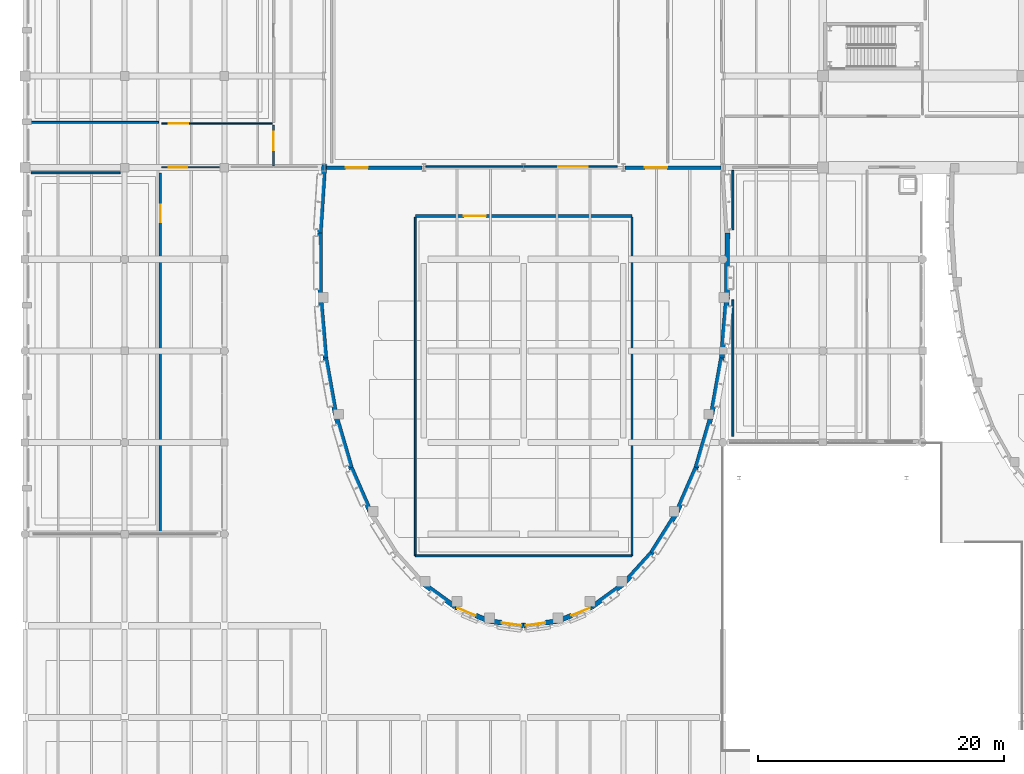
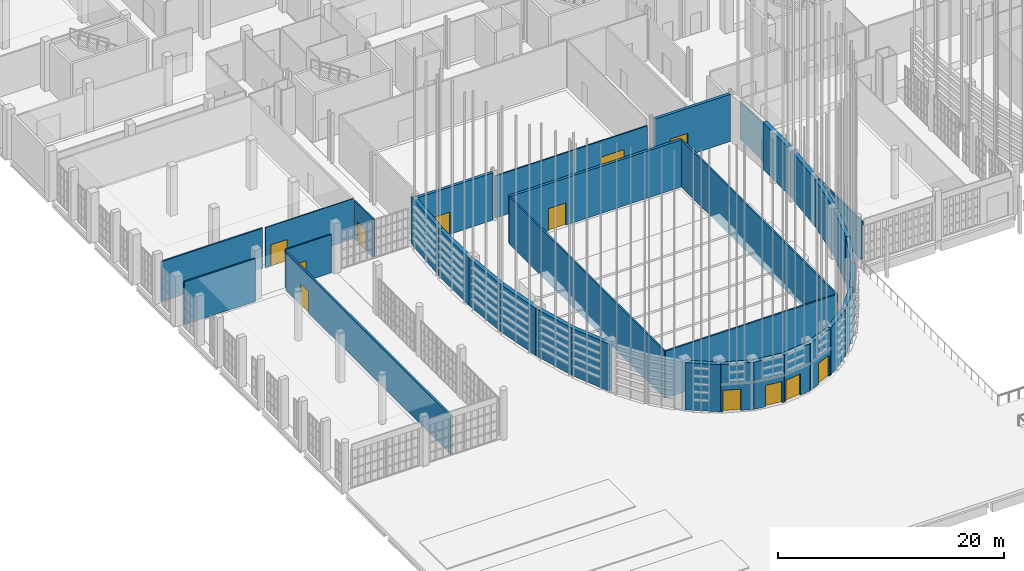
# One storey, part 348 of 372: 34 walls, 12 doors, 12 openings.
"""IFC4 building model written with IfcOpenShell, lengths in metres."""

from ifc_helpers import new_model, si_unit, direction, frame, frame_2d, origin, place, context, subcontext, project, spatial, rectangle, extrude, material, layer, layer_set, type_object, element, fill, save


model = new_model("IFC4")

# Units and contexts
model_context = context("Model", 3, precision=1e-05, world=origin(), true_north=direction((0.0, 1.0)))
body_context = subcontext(model_context, "Body", "Model", "MODEL_VIEW")
ifc_project = project(units=[si_unit("LENGTHUNIT", "METRE"), si_unit("AREAUNIT", "SQUARE_METRE"), si_unit("VOLUMEUNIT", "CUBIC_METRE"), si_unit("PLANEANGLEUNIT", "RADIAN"), si_unit("MASSUNIT", "GRAM", prefix="KILO")], contexts=[model_context])

# Site, building, storey
site_placement = place(None, origin())
site = spatial("IfcSite", under=ifc_project, at=site_placement, CompositionType="ELEMENT")
building_placement = place(site_placement, origin())
building = spatial("IfcBuilding", under=site, at=building_placement, Name="Kaelora Sail Theatre", CompositionType="ELEMENT")
storey_placement = place(building_placement, origin())
storey = spatial("IfcBuildingStorey", under=building, at=storey_placement, Name="L00", CompositionType="ELEMENT", Elevation=0.0)

# Wall, opening, door
ifc_material_1 = material(Name="Concrete C45/55", Category="concrete")
ifc_layer_1 = layer(ifc_material_1, 0.300048828125)
ifc_layer_set_1 = layer_set([ifc_layer_1], Name="Concrete C45/55")
wall_type_1 = type_object("IfcWallType", Name="ARC-WL-CW-300", PredefinedType="SHEAR", material=ifc_layer_set_1)
wall_1_placement = place(storey_placement, frame((25.951904296875, 61.02001953125, 0.0), z_axis=(0.0, 0.0, 1.0), x_axis=(1.0, 0.0, 0.0)))
wall_1 = element("IfcWall", 1, at=wall_1_placement, inside=storey, type_object=wall_type_1, Name="Proscenium fire wall L00-W", PredefinedType="SHEAR", context=body_context, shape_type="SweptSolid", body=[
    extrude(rectangle(XDim=7.796142578125, YDim=0.300048828125, at=frame_2d((3.89794921875, 0.0))), origin(), (0.0, 0.0, 1.0), 5.10498046875),
])
opening_1_placement = place(wall_1_placement, frame((1.60009765625, 0.0, 0.0)))
opening_1 = element("IfcOpeningElement", 2, at=opening_1_placement, cuts=wall_1, Name="Opening FD-03", PredefinedType="OPENING", context=body_context, shape_type="SweptSolid", body=[
    extrude(rectangle(XDim=1.800048828125, YDim=2.39990234375, at=frame_2d((0.89990234375, 1.199951171875))), frame((0.0, 0.159902, 0.0), z_axis=(0.0, -1.0, 0.0), x_axis=(1.0, 0.0, 0.0)), (0.0, 0.0, 1.0), 0.320049),
])
ifc_material_2 = material(Name="Auditorium acoustic double sound-lock fire door FD60S", Category="steel")
door_type_1 = type_object("IfcDoorType", Name="ARC-DR-FD-03", OperationType="NOTDEFINED", PredefinedType="DOOR", material=ifc_material_2)
door_1_placement = place(opening_1_placement, origin())
door_1 = element("IfcDoor", 3, at=door_1_placement, inside=storey, type_object=door_type_1, Name="Stage-to-Auditorium Fire Door L00", OperationType="DOUBLE_DOOR_SINGLE_SWING", OverallHeight=2.39990234375, OverallWidth=1.800048828125, PredefinedType="DOOR", context=body_context, shape_type="SweptSolid", body=[
    extrude(rectangle(XDim=1.800048828125, YDim=2.39990234375, at=frame_2d((0.89990234375, 1.199951171875))), frame((0.0, 0.02490234375, 0.0), z_axis=(0.0, -1.0, 0.0), x_axis=(1.0, 0.0, 0.0)), (0.0, 0.0, 1.0), 0.050048828125),
])
fill(opening_1, door_1)

wall_2_placement = place(storey_placement, frame((50.251953125, 61.02001953125, 0.0), z_axis=(0.0, 0.0, 1.0), x_axis=(1.0, 0.0, 0.0)))
wall_2 = element("IfcWall", 4, at=wall_2_placement, inside=storey, type_object=wall_type_1, Name="Proscenium fire wall L00-E", PredefinedType="SHEAR", context=body_context, shape_type="SweptSolid", body=[
    extrude(rectangle(XDim=7.796142578125, YDim=0.300048828125, at=frame_2d((3.89794921875, 0.0))), origin(), (0.0, 0.0, 1.0), 5.10498046875),
])
opening_2_placement = place(wall_2_placement, frame((1.60009765625, 0.0, 0.0)))
opening_2 = element("IfcOpeningElement", 5, at=opening_2_placement, cuts=wall_2, Name="Opening FD-03", PredefinedType="OPENING", context=body_context, shape_type="SweptSolid", body=[
    extrude(rectangle(XDim=1.800048828125, YDim=2.39990234375, at=frame_2d((0.89990234375, 1.199951171875))), frame((0.0, 0.159902, 0.0), z_axis=(0.0, -1.0, 0.0), x_axis=(1.0, 0.0, 0.0)), (0.0, 0.0, 1.0), 0.320049),
])
door_2_placement = place(opening_2_placement, origin())
door_2 = element("IfcDoor", 6, at=door_2_placement, inside=storey, type_object=door_type_1, Name="Stage-to-Auditorium Fire Door L00", OperationType="DOUBLE_DOOR_SINGLE_SWING", OverallHeight=2.39990234375, OverallWidth=1.800048828125, PredefinedType="DOOR", context=body_context, shape_type="SweptSolid", body=[
    extrude(rectangle(XDim=1.800048828125, YDim=2.39990234375, at=frame_2d((0.89990234375, 1.199951171875))), frame((0.0, 0.02490234375, 0.0), z_axis=(0.0, -1.0, 0.0), x_axis=(1.0, 0.0, 0.0)), (0.0, 0.0, 1.0), 0.050048828125),
])
fill(opening_2, door_2)

# Walls
ifc_material_3 = material(Name="Concrete C50/60", Category="concrete")
ifc_layer_2 = layer(ifc_material_3, 0.39990234375)
ifc_layer_set_2 = layer_set([ifc_layer_2], Name="Concrete C50/60")
wall_type_2 = type_object("IfcWallType", Name="ARC-WL-DW-400", PredefinedType="SHEAR", material=ifc_layer_set_2)
wall_3_placement = place(storey_placement, frame((58.542236328125, 55.725830078125, 0.0), z_axis=(0.0, 0.0, 1.0), x_axis=(-0.004895671688, -0.999988016128, 0.0)))
element("IfcWall", 7, at=wall_3_placement, inside=storey, type_object=wall_type_2, Name="Main Theatre Sail Drum curved drum acoustic wall L00 chord 2", PredefinedType="SHEAR", context=body_context, shape_type="SweptSolid", body=[
    extrude(rectangle(XDim=5.186279296875, YDim=0.39990234375, at=frame_2d((2.59326171875, 0.0))), origin(), (0.0, 0.0, 1.0), 5.10498046875),
])
wall_4_placement = place(storey_placement, frame((58.516845703125, 50.53955078125, 0.0), z_axis=(0.0, 0.0, 1.0), x_axis=(-0.084239735825, -0.996445516277, 0.0)))
element("IfcWall", 8, at=wall_4_placement, inside=storey, type_object=wall_type_2, Name="Main Theatre Sail Drum curved drum acoustic wall L00 chord 3", PredefinedType="SHEAR", context=body_context, shape_type="SweptSolid", body=[
    extrude(rectangle(XDim=4.99072265625, YDim=0.39990234375, at=frame_2d((2.495361328125, 0.0))), origin(), (0.0, 0.0, 1.0), 5.10498046875),
])
wall_5_placement = place(storey_placement, frame((58.096435546875, 45.566650390625, 0.0), z_axis=(0.0, 0.0, 1.0), x_axis=(-0.17557456422, -0.98446613573, 0.0)))
element("IfcWall", 9, at=wall_5_placement, inside=storey, type_object=wall_type_2, Name="Main Theatre Sail Drum curved drum acoustic wall L00 chord 4", PredefinedType="SHEAR", context=body_context, shape_type="SweptSolid", body=[
    extrude(rectangle(XDim=4.73193359375, YDim=0.39990234375, at=frame_2d((2.365966796875, 0.0))), origin(), (0.0, 0.0, 1.0), 5.10498046875),
])
wall_6_placement = place(storey_placement, frame((57.265625, 40.908203125, 0.0), z_axis=(0.0, 0.0, 1.0), x_axis=(-0.280296498643, -0.959913471542, 0.0)))
element("IfcWall", 10, at=wall_6_placement, inside=storey, type_object=wall_type_2, Name="Main Theatre Sail Drum curved drum acoustic wall L00 chord 5", PredefinedType="SHEAR", context=body_context, shape_type="SweptSolid", body=[
    extrude(rectangle(XDim=4.426513671875, YDim=0.39990234375, at=frame_2d((2.21337890625, 0.0))), origin(), (0.0, 0.0, 1.0), 5.10498046875),
])
wall_7_placement = place(storey_placement, frame((56.02490234375, 36.6591796875, 0.0), z_axis=(0.0, 0.0, 1.0), x_axis=(-0.39928213013, -0.916828108513, 0.0)))
element("IfcWall", 11, at=wall_7_placement, inside=storey, type_object=wall_type_2, Name="Main Theatre Sail Drum curved drum acoustic wall L00 chord 6", PredefinedType="SHEAR", context=body_context, shape_type="SweptSolid", body=[
    extrude(rectangle(XDim=4.09375, YDim=0.39990234375, at=frame_2d((2.046875, 0.0))), origin(), (0.0, 0.0, 1.0), 5.10498046875),
])
wall_8_placement = place(storey_placement, frame((54.390380859375, 32.906005859375, 0.0), z_axis=(0.0, 0.0, 1.0), x_axis=(-0.531284290946, -0.847193603726, 0.0)))
element("IfcWall", 12, at=wall_8_placement, inside=storey, type_object=wall_type_2, Name="Main Theatre Sail Drum curved drum acoustic wall L00 chord 7", PredefinedType="SHEAR", context=body_context, shape_type="SweptSolid", body=[
    extrude(rectangle(XDim=3.75439453125, YDim=0.39990234375, at=frame_2d((1.877197265625, 0.0))), origin(), (0.0, 0.0, 1.0), 5.10498046875),
])
wall_9_placement = place(storey_placement, frame((52.395751953125, 29.725341796875, 0.0), z_axis=(0.0, 0.0, 1.0), x_axis=(-0.671588971211, -0.740923919001, 0.0)))
element("IfcWall", 13, at=wall_9_placement, inside=storey, type_object=wall_type_2, Name="Main Theatre Sail Drum curved drum acoustic wall L00 chord 8", PredefinedType="SHEAR", context=body_context, shape_type="SweptSolid", body=[
    extrude(rectangle(XDim=3.43310546875, YDim=0.39990234375, at=frame_2d((1.716552734375, 0.0))), origin(), (0.0, 0.0, 1.0), 5.10498046875),
])
wall_10_placement = place(storey_placement, frame((50.090087890625, 27.181640625, 0.0), z_axis=(0.0, 0.0, 1.0), x_axis=(-0.809033741653, -0.587762200951, 0.0)))
element("IfcWall", 14, at=wall_10_placement, inside=storey, type_object=wall_type_2, Name="Main Theatre Sail Drum curved drum acoustic wall L00 chord 9", PredefinedType="SHEAR", context=body_context, shape_type="SweptSolid", body=[
    extrude(rectangle(XDim=3.155517578125, YDim=0.39990234375, at=frame_2d((1.57763671875, 0.0))), origin(), (0.0, 0.0, 1.0), 5.10498046875),
])

# Wall, opening, door
wall_11_placement = place(storey_placement, frame((47.537109375, 25.326904296875, 0.0), z_axis=(0.0, 0.0, 1.0), x_axis=(-0.923897776758, -0.382639383887, 0.0)))
wall_11 = element("IfcWall", 15, at=wall_11_placement, inside=storey, type_object=wall_type_2, Name="Main Theatre Sail Drum curved drum acoustic wall L00 chord 10", PredefinedType="SHEAR", context=body_context, shape_type="SweptSolid", body=[
    extrude(rectangle(XDim=2.948974609375, YDim=0.39990234375, at=frame_2d((1.474609375, 0.0))), origin(), (0.0, 0.0, 1.0), 5.10498046875),
])
opening_3_placement = place(wall_11_placement, frame((0.179931640625, 0.0, 0.0)))
opening_3 = element("IfcOpeningElement", 16, at=opening_3_placement, cuts=wall_11, Name="Opening ED-05", PredefinedType="OPENING", context=body_context, shape_type="SweptSolid", body=[
    extrude(rectangle(XDim=1.60009765625, YDim=2.300048828125, at=frame_2d((0.800048828125, 1.14990234375))), frame((0.0, 0.209951, 0.0), z_axis=(0.0, -1.0, 0.0), x_axis=(1.0, 0.0, 0.0)), (0.0, 0.0, 1.0), 0.419902),
])
ifc_material_4 = material(Name="Terrace glazed double swing door", Category="aluminium")
door_type_2 = type_object("IfcDoorType", Name="ARC-DR-ED-05", OperationType="NOTDEFINED", PredefinedType="DOOR", material=ifc_material_4)
door_3_placement = place(opening_3_placement, origin())
door_3 = element("IfcDoor", 17, at=door_3_placement, inside=storey, type_object=door_type_2, Name="Main Theatre Sail Drum plaza final exit door C10", OperationType="DOUBLE_DOOR_SINGLE_SWING", OverallHeight=2.300048828125, OverallWidth=1.60009765625, PredefinedType="DOOR", context=body_context, shape_type="SweptSolid", body=[
    extrude(rectangle(XDim=1.60009765625, YDim=2.300048828125, at=frame_2d((0.800048828125, 1.14990234375))), frame((0.0, 0.02490234375, 0.0), z_axis=(0.0, -1.0, 0.0), x_axis=(1.0, 0.0, 0.0)), (0.0, 0.0, 1.0), 0.050048828125),
])
fill(opening_3, door_3)

wall_12_placement = place(storey_placement, frame((44.8125, 24.198486328125, 0.0), z_axis=(0.0, 0.0, 1.0), x_axis=(-0.991069409398, -0.133347012549, 0.0)))
wall_12 = element("IfcWall", 18, at=wall_12_placement, inside=storey, type_object=wall_type_2, Name="Main Theatre Sail Drum curved drum acoustic wall L00 chord 11", PredefinedType="SHEAR", context=body_context, shape_type="SweptSolid", body=[
    extrude(rectangle(XDim=2.837890625, YDim=0.39990234375, at=frame_2d((1.4189453125, 0.0))), origin(), (0.0, 0.0, 1.0), 5.10498046875),
])
opening_4_placement = place(wall_12_placement, frame((1.05810546875, 0.0, 0.0)))
opening_4 = element("IfcOpeningElement", 19, at=opening_4_placement, cuts=wall_12, Name="Opening ED-05", PredefinedType="OPENING", context=body_context, shape_type="SweptSolid", body=[
    extrude(rectangle(XDim=1.60009765625, YDim=2.300048828125, at=frame_2d((0.800048828125, 1.14990234375))), frame((0.0, 0.209951, 0.0), z_axis=(0.0, -1.0, 0.0), x_axis=(1.0, 0.0, 0.0)), (0.0, 0.0, 1.0), 0.419902),
])
door_4_placement = place(opening_4_placement, origin())
door_4 = element("IfcDoor", 20, at=door_4_placement, inside=storey, type_object=door_type_2, Name="Main Theatre Sail Drum plaza final exit door C11", OperationType="DOUBLE_DOOR_SINGLE_SWING", OverallHeight=2.300048828125, OverallWidth=1.60009765625, PredefinedType="DOOR", context=body_context, shape_type="SweptSolid", body=[
    extrude(rectangle(XDim=1.60009765625, YDim=2.300048828125, at=frame_2d((0.800048828125, 1.14990234375))), frame((0.0, 0.02490234375, 0.0), z_axis=(0.0, -1.0, 0.0), x_axis=(1.0, 0.0, 0.0)), (0.0, 0.0, 1.0), 0.050048828125),
])
fill(opening_4, door_4)

wall_13_placement = place(storey_placement, frame((42.0, 23.820068359375, 0.0), z_axis=(0.0, 0.0, 1.0), x_axis=(-0.991069409398, 0.133347012549, 0.0)))
wall_13 = element("IfcWall", 21, at=wall_13_placement, inside=storey, type_object=wall_type_2, Name="Main Theatre Sail Drum curved drum acoustic wall L00 chord 12", PredefinedType="SHEAR", context=body_context, shape_type="SweptSolid", body=[
    extrude(rectangle(XDim=2.837890625, YDim=0.39990234375, at=frame_2d((1.4189453125, 0.0))), origin(), (0.0, 0.0, 1.0), 5.10498046875),
])
opening_5_placement = place(wall_13_placement, frame((0.179931640625, 0.0, 0.0)))
opening_5 = element("IfcOpeningElement", 22, at=opening_5_placement, cuts=wall_13, Name="Opening ED-05", PredefinedType="OPENING", context=body_context, shape_type="SweptSolid", body=[
    extrude(rectangle(XDim=1.60009765625, YDim=2.300048828125, at=frame_2d((0.800048828125, 1.14990234375))), frame((0.0, 0.209951, 0.0), z_axis=(0.0, -1.0, 0.0), x_axis=(1.0, 0.0, 0.0)), (0.0, 0.0, 1.0), 0.419902),
])
door_5_placement = place(opening_5_placement, origin())
door_5 = element("IfcDoor", 23, at=door_5_placement, inside=storey, type_object=door_type_2, Name="Main Theatre Sail Drum plaza final exit door C12", OperationType="DOUBLE_DOOR_SINGLE_SWING", OverallHeight=2.300048828125, OverallWidth=1.60009765625, PredefinedType="DOOR", context=body_context, shape_type="SweptSolid", body=[
    extrude(rectangle(XDim=1.60009765625, YDim=2.300048828125, at=frame_2d((0.800048828125, 1.14990234375))), frame((0.0, 0.02490234375, 0.0), z_axis=(0.0, -1.0, 0.0), x_axis=(1.0, 0.0, 0.0)), (0.0, 0.0, 1.0), 0.050048828125),
])
fill(opening_5, door_5)

wall_14_placement = place(storey_placement, frame((39.1875, 24.198486328125, 0.0), z_axis=(0.0, 0.0, 1.0), x_axis=(-0.923897776758, 0.382639383887, 0.0)))
wall_14 = element("IfcWall", 24, at=wall_14_placement, inside=storey, type_object=wall_type_2, Name="Main Theatre Sail Drum curved drum acoustic wall L00 chord 13", PredefinedType="SHEAR", context=body_context, shape_type="SweptSolid", body=[
    extrude(rectangle(XDim=2.948974609375, YDim=0.39990234375, at=frame_2d((1.474609375, 0.0))), origin(), (0.0, 0.0, 1.0), 5.10498046875),
])
opening_6_placement = place(wall_14_placement, frame((1.1689453125, 0.0, 0.0)))
opening_6 = element("IfcOpeningElement", 25, at=opening_6_placement, cuts=wall_14, Name="Opening ED-05", PredefinedType="OPENING", context=body_context, shape_type="SweptSolid", body=[
    extrude(rectangle(XDim=1.60009765625, YDim=2.300048828125, at=frame_2d((0.800048828125, 1.14990234375))), frame((0.0, 0.209951, 0.0), z_axis=(0.0, -1.0, 0.0), x_axis=(1.0, 0.0, 0.0)), (0.0, 0.0, 1.0), 0.419902),
])
door_6_placement = place(opening_6_placement, origin())
door_6 = element("IfcDoor", 26, at=door_6_placement, inside=storey, type_object=door_type_2, Name="Main Theatre Sail Drum plaza final exit door C13", OperationType="DOUBLE_DOOR_SINGLE_SWING", OverallHeight=2.300048828125, OverallWidth=1.60009765625, PredefinedType="DOOR", context=body_context, shape_type="SweptSolid", body=[
    extrude(rectangle(XDim=1.60009765625, YDim=2.300048828125, at=frame_2d((0.800048828125, 1.14990234375))), frame((0.0, 0.02490234375, 0.0), z_axis=(0.0, -1.0, 0.0), x_axis=(1.0, 0.0, 0.0)), (0.0, 0.0, 1.0), 0.050048828125),
])
fill(opening_6, door_6)

# Walls
wall_15_placement = place(storey_placement, frame((36.462890625, 25.326904296875, 0.0), z_axis=(0.0, 0.0, 1.0), x_axis=(-0.809033741653, 0.587762200951, 0.0)))
element("IfcWall", 27, at=wall_15_placement, inside=storey, type_object=wall_type_2, Name="Main Theatre Sail Drum curved drum acoustic wall L00 chord 14", PredefinedType="SHEAR", context=body_context, shape_type="SweptSolid", body=[
    extrude(rectangle(XDim=3.155517578125, YDim=0.39990234375, at=frame_2d((1.57763671875, 0.0))), origin(), (0.0, 0.0, 1.0), 5.10498046875),
])
wall_16_placement = place(storey_placement, frame((29.609619140625, 32.906005859375, 0.0), z_axis=(0.0, 0.0, 1.0), x_axis=(-0.39928213013, 0.916828108513, 0.0)))
element("IfcWall", 28, at=wall_16_placement, inside=storey, type_object=wall_type_2, Name="Main Theatre Sail Drum curved drum acoustic wall L00 chord 17", PredefinedType="SHEAR", context=body_context, shape_type="SweptSolid", body=[
    extrude(rectangle(XDim=4.09375, YDim=0.39990234375, at=frame_2d((2.046875, 0.0))), origin(), (0.0, 0.0, 1.0), 5.10498046875),
])
wall_17_placement = place(storey_placement, frame((27.97509765625, 36.6591796875, 0.0), z_axis=(0.0, 0.0, 1.0), x_axis=(-0.280296498643, 0.959913471542, 0.0)))
element("IfcWall", 29, at=wall_17_placement, inside=storey, type_object=wall_type_2, Name="Main Theatre Sail Drum curved drum acoustic wall L00 chord 18", PredefinedType="SHEAR", context=body_context, shape_type="SweptSolid", body=[
    extrude(rectangle(XDim=4.426513671875, YDim=0.39990234375, at=frame_2d((2.21337890625, 0.0))), origin(), (0.0, 0.0, 1.0), 5.10498046875),
])
wall_18_placement = place(storey_placement, frame((26.734375, 40.908203125, 0.0), z_axis=(0.0, 0.0, 1.0), x_axis=(-0.17557456422, 0.98446613573, 0.0)))
element("IfcWall", 30, at=wall_18_placement, inside=storey, type_object=wall_type_2, Name="Main Theatre Sail Drum curved drum acoustic wall L00 chord 19", PredefinedType="SHEAR", context=body_context, shape_type="SweptSolid", body=[
    extrude(rectangle(XDim=4.73193359375, YDim=0.39990234375, at=frame_2d((2.365966796875, 0.0))), origin(), (0.0, 0.0, 1.0), 5.10498046875),
])
wall_19_placement = place(storey_placement, frame((25.903564453125, 45.566650390625, 0.0), z_axis=(0.0, 0.0, 1.0), x_axis=(-0.084239735825, 0.996445516277, 0.0)))
element("IfcWall", 31, at=wall_19_placement, inside=storey, type_object=wall_type_2, Name="Main Theatre Sail Drum curved drum acoustic wall L00 chord 20", PredefinedType="SHEAR", context=body_context, shape_type="SweptSolid", body=[
    extrude(rectangle(XDim=4.99072265625, YDim=0.39990234375, at=frame_2d((2.495361328125, 0.0))), origin(), (0.0, 0.0, 1.0), 5.10498046875),
])
wall_20_placement = place(storey_placement, frame((25.483154296875, 50.53955078125, 0.0), z_axis=(0.0, 0.0, 1.0), x_axis=(-0.004895671688, 0.999988016128, 0.0)))
element("IfcWall", 32, at=wall_20_placement, inside=storey, type_object=wall_type_2, Name="Main Theatre Sail Drum curved drum acoustic wall L00 chord 21", PredefinedType="SHEAR", context=body_context, shape_type="SweptSolid", body=[
    extrude(rectangle(XDim=5.186279296875, YDim=0.39990234375, at=frame_2d((2.59326171875, 0.0))), origin(), (0.0, 0.0, 1.0), 5.10498046875),
])
wall_21_placement = place(storey_placement, frame((25.457763671875, 55.725830078125, 0.0), z_axis=(0.0, 0.0, 1.0), x_axis=(0.064519893008, 0.997916421053, 0.0)))
element("IfcWall", 33, at=wall_21_placement, inside=storey, type_object=wall_type_2, Name="Main Theatre Sail Drum curved drum acoustic wall L00 chord 22", PredefinedType="SHEAR", context=body_context, shape_type="SweptSolid", body=[
    extrude(rectangle(XDim=5.585205078125, YDim=0.39990234375, at=frame_2d((2.79248046875, 0.0))), origin(), (0.0, 0.0, 1.0), 5.10498046875),
])

# Wall, opening, door
ifc_material_5 = material(Name="Demountable acoustic studio wall 150 mm", Category="timber")
ifc_layer_3 = layer(ifc_material_5, 0.14990234375)
ifc_layer_set_3 = layer_set([ifc_layer_3], Name="Demountable acoustic studio wall 150 mm")
wall_type_3 = type_object("IfcWallType", Name="ARC-WL-MV-150", PredefinedType="MOVABLE", material=ifc_layer_set_3)
wall_22_placement = place(storey_placement, frame((21.699951171875, 61.169921875, 0.0), z_axis=(0.0, 0.0, 1.0), x_axis=(0.0, 1.0, 0.0)))
wall_22 = element("IfcWall", 34, at=wall_22_placement, inside=storey, type_object=wall_type_3, Name="Interior acoustic partition L00-COR-COLWL/L00-COR-WEST", PredefinedType="MOVABLE", context=body_context, shape_type="SweptSolid", body=[
    extrude(rectangle(XDim=3.330078125, YDim=0.14990234375, at=frame_2d((1.6650390625, 0.0))), origin(), (0.0, 0.0, 1.0), 4.136962890625),
])
opening_7_placement = place(wall_22_placement, frame((1.25, 0.0, 0.0)))
opening_7 = element("IfcOpeningElement", 35, at=opening_7_placement, cuts=wall_22, Name="Opening FD-01", PredefinedType="OPENING", context=body_context, shape_type="SweptSolid", body=[
    extrude(rectangle(XDim=1.5, YDim=2.199951171875, at=frame_2d((0.75, 1.10009765625))), frame((0.0, 0.084951, 0.0), z_axis=(0.0, -1.0, 0.0), x_axis=(1.0, 0.0, 0.0)), (0.0, 0.0, 1.0), 0.169902),
])
ifc_material_6 = material(Name="Acoustic steel double fire door EI 90-C", Category="steel")
door_type_3 = type_object("IfcDoorType", Name="ARC-DR-FD-01", OperationType="NOTDEFINED", PredefinedType="DOOR", material=ifc_material_6)
door_7_placement = place(opening_7_placement, origin())
door_7 = element("IfcDoor", 36, at=door_7_placement, inside=storey, type_object=door_type_3, Name="Interior door L00-COR-COLWL to L00-COR-WEST", OperationType="DOUBLE_DOOR_SINGLE_SWING", OverallHeight=2.199951171875, OverallWidth=1.5, PredefinedType="DOOR", context=body_context, shape_type="SweptSolid", body=[
    extrude(rectangle(XDim=1.5, YDim=2.199951171875, at=frame_2d((0.75, 1.10009765625))), frame((0.0, 0.02490234375, 0.0), z_axis=(0.0, -1.0, 0.0), x_axis=(1.0, 0.0, 0.0)), (0.0, 0.0, 1.0), 0.050048828125),
])
fill(opening_7, door_7)

ifc_material_7 = material(Name="Sanitary moisture-resistant partition 100 mm", Category="gypsum")
ifc_layer_4 = layer(ifc_material_7, 0.10009765625)
ifc_layer_set_4 = layer_set([ifc_layer_4], Name="Sanitary moisture-resistant partition 100 mm")
wall_type_4 = type_object("IfcWallType", Name="ARC-WL-PT-100", PredefinedType="PARTITIONING", material=ifc_layer_set_4)
wall_23_placement = place(storey_placement, frame((12.60009765625, 64.60009765625, 0.0), z_axis=(0.0, 0.0, 1.0), x_axis=(1.0, 0.0, 0.0)))
wall_23 = element("IfcWall", 37, at=wall_23_placement, inside=storey, type_object=wall_type_4, Name="Interior acoustic partition L00-COR-COLWL/L00-CAFE-WEST", PredefinedType="PARTITIONING", context=body_context, shape_type="SweptSolid", body=[
    extrude(rectangle(XDim=9.0, YDim=0.10009765625, at=frame_2d((4.5, 0.0))), origin(), (0.0, 0.0, 1.0), 4.3369140625),
])
opening_8_placement = place(wall_23_placement, frame((0.580078125, 0.0, 0.0)))
opening_8 = element("IfcOpeningElement", 38, at=opening_8_placement, cuts=wall_23, Name="Opening ID-04", PredefinedType="OPENING", context=body_context, shape_type="SweptSolid", body=[
    extrude(rectangle(XDim=1.60009765625, YDim=2.300048828125, at=frame_2d((0.800048828125, 1.14990234375))), frame((0.0, 0.060049, 0.0), z_axis=(0.0, -1.0, 0.0), x_axis=(1.0, 0.0, 0.0)), (0.0, 0.0, 1.0), 0.120098),
])
ifc_material_8 = material(Name="Rehearsal hall acoustic timber double door", Category="wood")
door_type_4 = type_object("IfcDoorType", Name="ARC-DR-ID-04", OperationType="NOTDEFINED", PredefinedType="DOOR", material=ifc_material_8)
door_8_placement = place(opening_8_placement, origin())
door_8 = element("IfcDoor", 39, at=door_8_placement, inside=storey, type_object=door_type_4, Name="Interior door L00-COR-COLWL to L00-CAFE-WEST", OperationType="DOUBLE_DOOR_SINGLE_SWING", OverallHeight=2.300048828125, OverallWidth=1.60009765625, PredefinedType="DOOR", context=body_context, shape_type="SweptSolid", body=[
    extrude(rectangle(XDim=1.60009765625, YDim=2.300048828125, at=frame_2d((0.800048828125, 1.14990234375))), frame((0.0, 0.02490234375, 0.0), z_axis=(0.0, -1.0, 0.0), x_axis=(1.0, 0.0, 0.0)), (0.0, 0.0, 1.0), 0.050048828125),
])
fill(opening_8, door_8)

ifc_material_9 = material(Name="Dressing room acoustic partition 130 mm", Category="gypsum")
ifc_layer_5 = layer(ifc_material_9, 0.1298828125)
ifc_layer_set_5 = layer_set([ifc_layer_5], Name="Dressing room acoustic partition 130 mm")
wall_type_5 = type_object("IfcWallType", Name="ARC-WL-PT-130", PredefinedType="PARTITIONING", material=ifc_layer_set_5)
wall_24_placement = place(storey_placement, frame((34.054931640625, 61.10009765625, 0.0), z_axis=(0.0, 0.0, 1.0), x_axis=(1.0, 0.0, 0.0)))
wall_24 = element("IfcWall", 40, at=wall_24_placement, inside=storey, type_object=wall_type_5, Name="Interior acoustic partition L00-AUD-LOB/L00-STAGE-MAIN", PredefinedType="PARTITIONING", context=body_context, shape_type="SweptSolid", body=[
    extrude(rectangle(XDim=15.545166015625, YDim=0.1298828125, at=frame_2d((7.7724609375, 0.0))), origin(), (0.0, 0.0, 1.0), 4.537109375),
])
opening_9_placement = place(wall_24_placement, frame((10.76708984375, 0.0, 0.0)))
opening_9 = element("IfcOpeningElement", 41, at=opening_9_placement, cuts=wall_24, Name="Opening ID-05", PredefinedType="OPENING", context=body_context, shape_type="SweptSolid", body=[
    extrude(rectangle(XDim=2.39990234375, YDim=2.800048828125, at=frame_2d((1.199951171875, 1.39990234375))), frame((0.0, 0.074941, 0.0), z_axis=(0.0, -1.0, 0.0), x_axis=(1.0, 0.0, 0.0)), (0.0, 0.0, 1.0), 0.149883),
])
ifc_material_10 = material(Name="Scenery workshop oversize acoustic double door", Category="steel")
door_type_5 = type_object("IfcDoorType", Name="ARC-DR-ID-05", OperationType="NOTDEFINED", PredefinedType="DOOR", material=ifc_material_10)
door_9_placement = place(opening_9_placement, origin())
door_9 = element("IfcDoor", 42, at=door_9_placement, inside=storey, type_object=door_type_5, Name="Interior door L00-AUD-LOB to L00-STAGE-MAIN", OperationType="DOUBLE_DOOR_SINGLE_SWING", OverallHeight=2.800048828125, OverallWidth=2.39990234375, PredefinedType="DOOR", context=body_context, shape_type="SweptSolid", body=[
    extrude(rectangle(XDim=2.39990234375, YDim=2.800048828125, at=frame_2d((1.199951171875, 1.39990234375))), frame((0.0, 0.02490234375, 0.0), z_axis=(0.0, -1.0, 0.0), x_axis=(1.0, 0.0, 0.0)), (0.0, 0.0, 1.0), 0.050048828125),
])
fill(opening_9, door_9)

ifc_material_11 = material(Name="Fire-rated stud partition 140 mm", Category="gypsum")
ifc_layer_6 = layer(ifc_material_11, 0.139892578125)
ifc_layer_set_6 = layer_set([ifc_layer_6], Name="Fire-rated stud partition 140 mm")
wall_type_6 = type_object("IfcWallType", Name="ARC-WL-PT-140", PredefinedType="PARTITIONING", material=ifc_layer_set_6)
wall_25_placement = place(storey_placement, frame((12.60009765625, 61.050048828125, 0.0), z_axis=(0.0, 0.0, 1.0), x_axis=(1.0, 0.0, 0.0)))
wall_25 = element("IfcWall", 43, at=wall_25_placement, inside=storey, type_object=wall_type_6, Name="Interior acoustic partition L00-COR-COLW/L00-COR-COLWL", PredefinedType="PARTITIONING", context=body_context, shape_type="SweptSolid", body=[
    extrude(rectangle(XDim=4.699951171875, YDim=0.139892578125, at=frame_2d((2.35009765625, 0.0))), origin(), (0.0, 0.0, 1.0), 4.136962890625),
])
opening_10_placement = place(wall_25_placement, frame((0.580078125, 0.0, 0.0)))
opening_10 = element("IfcOpeningElement", 44, at=opening_10_placement, cuts=wall_25, Name="Opening FD-01", PredefinedType="OPENING", context=body_context, shape_type="SweptSolid", body=[
    extrude(rectangle(XDim=1.5, YDim=2.199951171875, at=frame_2d((0.75, 1.10009765625))), frame((0.0, 0.079824, 0.0), z_axis=(0.0, -1.0, 0.0), x_axis=(1.0, 0.0, 0.0)), (0.0, 0.0, 1.0), 0.159893),
])
door_10_placement = place(opening_10_placement, origin())
door_10 = element("IfcDoor", 45, at=door_10_placement, inside=storey, type_object=door_type_3, Name="Interior door L00-COR-COLW to L00-COR-COLWL", OperationType="DOUBLE_DOOR_SINGLE_SWING", OverallHeight=2.199951171875, OverallWidth=1.5, PredefinedType="DOOR", context=body_context, shape_type="SweptSolid", body=[
    extrude(rectangle(XDim=1.5, YDim=2.199951171875, at=frame_2d((0.75, 1.10009765625))), frame((0.0, 0.02490234375, 0.0), z_axis=(0.0, -1.0, 0.0), x_axis=(1.0, 0.0, 0.0)), (0.0, 0.0, 1.0), 0.050048828125),
])
fill(opening_10, door_10)

# Walls
ifc_material_12 = material(Name="Acoustic metal-stud plasterboard 160 mm", Category="gypsum")
ifc_layer_7 = layer(ifc_material_12, 0.159912109375)
ifc_layer_set_7 = layer_set([ifc_layer_7], Name="Acoustic metal-stud plasterboard 160 mm")
wall_type_7 = type_object("IfcWallType", Name="ARC-WL-PT-160", PredefinedType="PARTITIONING", material=ifc_layer_set_7)
wall_26_placement = place(storey_placement, frame((33.199951171875, 29.5, 0.0), z_axis=(0.0, 0.0, 1.0), x_axis=(1.0, 0.0, 0.0)))
element("IfcWall", 46, at=wall_26_placement, inside=storey, type_object=wall_type_7, Name="Room enclosure wall L00-AUD-MAIN-S1", PredefinedType="PARTITIONING", context=body_context, shape_type="SweptSolid", body=[
    extrude(rectangle(XDim=17.60009765625, YDim=0.159912109375, at=frame_2d((8.800048828125, 0.0))), origin(), (0.0, 0.0, 1.0), 5.0849609375),
])
for number, where, z_axis, x_axis, name in (
    (47, (33.199951171875, 29.5, 0.0), (0.0, 0.0, 1.0), (0.0, 1.0, 0.0), "Room enclosure wall L00-AUD-MAIN-W1"),
    (48, (50.800048828125, 29.5, 0.0), (0.0, 0.0, 1.0), (0.0, 1.0, 0.0), "Room enclosure wall L00-AUD-MAIN-E1"),
):
    element("IfcWall", number, at=place(storey_placement, frame(where, z_axis=z_axis, x_axis=x_axis)), inside=storey, type_object=wall_type_7, Name=name, PredefinedType="PARTITIONING", context=body_context, shape_type="SweptSolid", body=[
        extrude(rectangle(XDim=27.5, YDim=0.159912109375, at=frame_2d((13.75, 0.0))), origin(), (0.0, 0.0, 1.0), 5.0849609375),
    ])
wall_27_placement = place(storey_placement, frame((2.0, 60.60009765625, 0.0), z_axis=(0.0, 0.0, 1.0), x_axis=(1.0, 0.0, 0.0)))
element("IfcWall", 49, at=wall_27_placement, inside=storey, type_object=wall_type_7, Name="Room enclosure wall L00-COL-WEST-N1", PredefinedType="PARTITIONING", context=body_context, shape_type="SweptSolid", body=[
    extrude(rectangle(XDim=7.22998046875, YDim=0.159912109375, at=frame_2d((3.614990234375, 0.0))), origin(), (0.0, 0.0, 1.0), 4.636962890625),
])
wall_28_placement = place(storey_placement, frame((2.0, 64.699951171875, 0.0), z_axis=(0.0, 0.0, 1.0), x_axis=(1.0, 0.0, 0.0)))
element("IfcWall", 50, at=wall_28_placement, inside=storey, type_object=wall_type_7, Name="Room enclosure wall L00-CAFE-WEST-S1", PredefinedType="PARTITIONING", context=body_context, shape_type="SweptSolid", body=[
    extrude(rectangle(XDim=10.35009765625, YDim=0.159912109375, at=frame_2d((5.175048828125, 0.0))), origin(), (0.0, 0.0, 1.0), 4.3369140625),
])
wall_29_placement = place(storey_placement, frame((59.0, 39.199951171875, 0.0), z_axis=(0.0, 0.0, 1.0), x_axis=(0.0, 1.0, 0.0)))
element("IfcWall", 51, at=wall_29_placement, inside=storey, type_object=wall_type_7, Name="Room enclosure wall L00-FOY-INTER1-W1", PredefinedType="PARTITIONING", context=body_context, shape_type="SweptSolid", body=[
    extrude(rectangle(XDim=11.089599609375, YDim=0.159912109375, at=frame_2d((5.544921875, 0.0))), origin(), (0.0, 0.0, 1.0), 4.136962890625),
])
wall_30_placement = place(storey_placement, frame((59.0, 55.975830078125, 0.0), z_axis=(0.0, 0.0, 1.0), x_axis=(0.0, 1.0, 0.0)))
element("IfcWall", 52, at=wall_30_placement, inside=storey, type_object=wall_type_7, Name="Room enclosure wall L00-FOY-INTER1-W2", PredefinedType="PARTITIONING", context=body_context, shape_type="SweptSolid", body=[
    extrude(rectangle(XDim=4.82421875, YDim=0.159912109375, at=frame_2d((2.412109375, 0.0))), origin(), (0.0, 0.0, 1.0), 4.136962890625),
])

# Wall, opening, door
ifc_material_13 = material(Name="Acoustic double-stud plasterboard 200 mm", Category="gypsum")
ifc_layer_8 = layer(ifc_material_13, 0.199951171875)
ifc_layer_set_8 = layer_set([ifc_layer_8], Name="Acoustic double-stud plasterboard 200 mm")
wall_type_8 = type_object("IfcWallType", Name="ARC-WL-PT-200", PredefinedType="PARTITIONING", material=ifc_layer_set_8)
wall_31_placement = place(storey_placement, frame((12.5, 31.429931640625, 0.0), z_axis=(0.0, 0.0, 1.0), x_axis=(0.0, 1.0, 0.0)))
wall_31 = element("IfcWall", 53, at=wall_31_placement, inside=storey, type_object=wall_type_8, Name="Interior acoustic partition L00-COL-WEST/L00-COR-COLW", PredefinedType="PARTITIONING", context=body_context, shape_type="SweptSolid", body=[
    extrude(rectangle(XDim=29.170166015625, YDim=0.199951171875, at=frame_2d((14.5849609375, 0.0))), origin(), (0.0, 0.0, 1.0), 4.136962890625),
])
opening_11_placement = place(wall_31_placement, frame((25.14306640625, 0.0, 0.0)))
opening_11 = element("IfcOpeningElement", 54, at=opening_11_placement, cuts=wall_31, Name="Opening ID-12", PredefinedType="OPENING", context=body_context, shape_type="SweptSolid", body=[
    extrude(rectangle(XDim=1.449951171875, YDim=2.300048828125, at=frame_2d((0.72509765625, 1.14990234375))), frame((0.0, 0.110098, 0.0), z_axis=(0.0, -1.0, 0.0), x_axis=(1.0, 0.0, 0.0)), (0.0, 0.0, 1.0), 0.219951),
])
ifc_material_14 = material(Name="Orchestra warm-up acoustic double door", Category="steel")
door_type_6 = type_object("IfcDoorType", Name="ARC-DR-ID-12", OperationType="NOTDEFINED", PredefinedType="DOOR", material=ifc_material_14)
door_11_placement = place(opening_11_placement, origin())
door_11 = element("IfcDoor", 55, at=door_11_placement, inside=storey, type_object=door_type_6, Name="Interior door L00-COL-WEST to L00-COR-COLW", OperationType="DOUBLE_DOOR_SINGLE_SWING", OverallHeight=2.300048828125, OverallWidth=1.449951171875, PredefinedType="DOOR", context=body_context, shape_type="SweptSolid", body=[
    extrude(rectangle(XDim=1.449951171875, YDim=2.300048828125, at=frame_2d((0.72509765625, 1.14990234375))), frame((0.0, 0.02490234375, 0.0), z_axis=(0.0, -1.0, 0.0), x_axis=(1.0, 0.0, 0.0)), (0.0, 0.0, 1.0), 0.050048828125),
])
fill(opening_11, door_11)

ifc_material_15 = material(Name="Concrete C45/55", Category="concrete")
ifc_layer_9 = layer(ifc_material_15, 0.27001953125)
ifc_layer_set_9 = layer_set([ifc_layer_9], Name="Concrete C45/55")
wall_type_9 = type_object("IfcWallType", Name="ARC-WL-PW-270", PredefinedType="SOLIDWALL", material=ifc_layer_set_9)
wall_32_placement = place(storey_placement, frame((33.199951171875, 57.10009765625, 0.0), z_axis=(0.0, 0.0, 1.0), x_axis=(1.0, 0.0, 0.0)))
wall_32 = element("IfcWall", 56, at=wall_32_placement, inside=storey, type_object=wall_type_9, Name="Interior acoustic partition L00-AUD-MAIN/L00-AUD-LOB", PredefinedType="SOLIDWALL", context=body_context, shape_type="SweptSolid", body=[
    extrude(rectangle(XDim=17.60009765625, YDim=0.27001953125, at=frame_2d((8.800048828125, 0.0))), origin(), (0.0, 0.0, 1.0), 5.0849609375),
])
opening_12_placement = place(wall_32_placement, frame((3.943115234375, 0.0, 0.0)))
opening_12 = element("IfcOpeningElement", 57, at=opening_12_placement, cuts=wall_32, Name="Opening FD-03", PredefinedType="OPENING", context=body_context, shape_type="SweptSolid", body=[
    extrude(rectangle(XDim=1.800048828125, YDim=2.39990234375, at=frame_2d((0.89990234375, 1.199951171875))), frame((0.0, 0.14501, 0.0), z_axis=(0.0, -1.0, 0.0), x_axis=(1.0, 0.0, 0.0)), (0.0, 0.0, 1.0), 0.29002),
])
door_12_placement = place(opening_12_placement, origin())
door_12 = element("IfcDoor", 58, at=door_12_placement, inside=storey, type_object=door_type_1, Name="Interior door L00-AUD-MAIN to L00-AUD-LOB", OperationType="DOUBLE_DOOR_SINGLE_SWING", OverallHeight=2.39990234375, OverallWidth=1.800048828125, PredefinedType="DOOR", context=body_context, shape_type="SweptSolid", body=[
    extrude(rectangle(XDim=1.800048828125, YDim=2.39990234375, at=frame_2d((0.89990234375, 1.199951171875))), frame((0.0, 0.02490234375, 0.0), z_axis=(0.0, -1.0, 0.0), x_axis=(1.0, 0.0, 0.0)), (0.0, 0.0, 1.0), 0.050048828125),
])
fill(opening_12, door_12)

save(model, "model.ifc")
